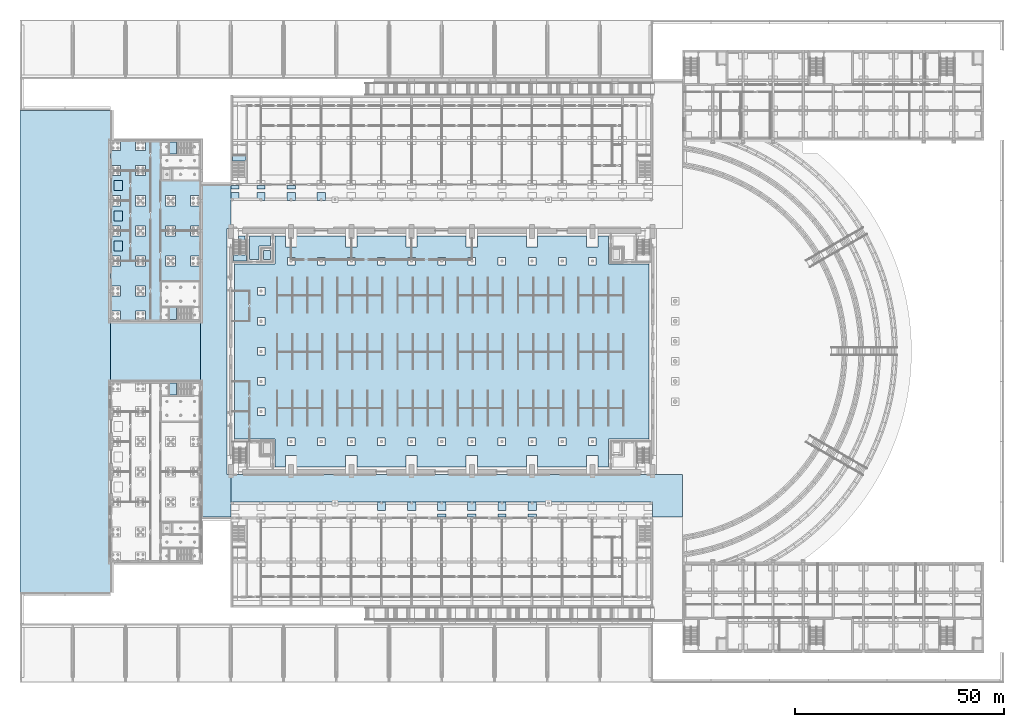
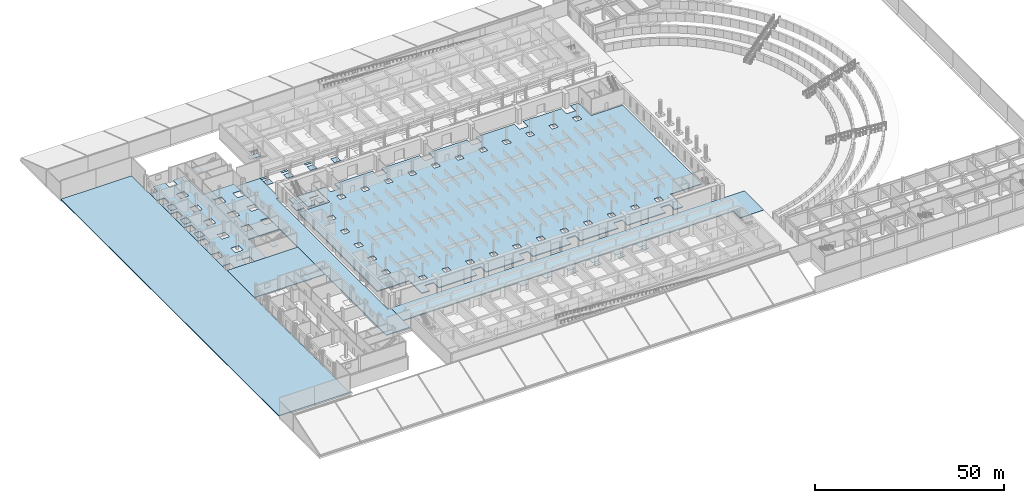
# One storey, part 24 of 73: 31 slabs, 3 plates, 5 elements without a shape of their own.
"""IFC4 building model written with IfcOpenShell, lengths in metres."""

from ifc_helpers import new_model, si_unit, direction, frame, origin, origin_2d, place, context, subcontext, project, spatial, polyline, rectangle, outline, extrude, material, layer, layer_set, type_object, element, aggregate, save


model = new_model("IFC4")

# Units and contexts
model_context = context("Model", 3, precision=1e-05, world=origin(), true_north=direction((0.0, 1.0)))
body_context = subcontext(model_context, "Body", "Model", "MODEL_VIEW")
ifc_project = project(units=[si_unit("LENGTHUNIT", "METRE"), si_unit("AREAUNIT", "SQUARE_METRE"), si_unit("VOLUMEUNIT", "CUBIC_METRE"), si_unit("PLANEANGLEUNIT", "RADIAN"), si_unit("MASSUNIT", "GRAM", prefix="KILO")], contexts=[model_context])

# Site, building, storey
site_placement = place(None, origin())
site = spatial("IfcSite", under=ifc_project, at=site_placement, CompositionType="ELEMENT")
building_placement = place(site_placement, origin())
building = spatial("IfcBuilding", under=site, at=building_placement, Name="Alderwick Market Hall", CompositionType="ELEMENT")
storey_placement = place(building_placement, origin())
storey = spatial("IfcBuildingStorey", under=building, at=storey_placement, Name="LG", CompositionType="ELEMENT", Elevation=0.0)

# Stair, slab
ifc_material_1 = material(Name="Concrete 5000 psi (f'c 35 MPa)", Category="concrete")
stair_type_1 = type_object("IfcStairType", Name="A Roof Stair 1300", PredefinedType="TWO_STRAIGHT_RUN_STAIR", material=ifc_material_1)
stair_1_placement = place(storey_placement, origin())
stair_1 = element("IfcStair", 1, at=stair_1_placement, inside=storey, type_object=stair_type_1, Name="Roof stair NW", PredefinedType="TWO_STRAIGHT_RUN_STAIR")
ifc_layer_1 = layer(ifc_material_1, 0.199951171875)
ifc_layer_set_1 = layer_set([ifc_layer_1], Name="Concrete 5000 psi (f'c 35 MPa)")
slab_type_1 = type_object("IfcSlabType", Name="A Stair Landing 200", PredefinedType="LANDING", material=ifc_layer_set_1)
slab_1_placement = place(storey_placement, frame((0.0, 0.0, 2.199951171875)))
slab_1 = element("IfcSlab", 2, at=slab_1_placement, type_object=slab_type_1, Name="A-ST-NW landing 1", PredefinedType="LANDING", context=body_context, shape_type="SweptSolid", body=[
    extrude(outline(polyline([(50.800048828125, 124.719970703125), (54.050048828125, 124.719970703125), (54.050048828125, 126.219970703125), (50.800048828125, 126.219970703125), (50.800048828125, 124.719970703125)])), origin(), (0.0, 0.0, 1.0), 0.199951171875),
])
aggregate(stair_1, [slab_1])

# Plates
ifc_material_2 = material(Name="Steel ASTM A572 Grade 50", Category="steel")
ifc_layer_2 = layer(ifc_material_2, 0.02001953125)
ifc_layer_set_2 = layer_set([ifc_layer_2], Name="Steel ASTM A572 Grade 50")
plate_type = type_object("IfcPlateType", Name="B Dock Leveller Plate 20", PredefinedType="SHEET", material=ifc_layer_set_2)
for number, where, z_axis, x_axis, name in (
    (3, (23.5, 118.800048828125, 0.0), (0.0, 0.0, 1.0), (1.0, 0.0, 0.0), "Dock leveller plate"),
    (4, (23.5, 111.60009765625, 0.0), (0.0, 0.0, 1.0), (1.0, 0.0, 0.0), "Dock leveller plate"),
    (5, (23.5, 104.39990234375, 0.0), (0.0, 0.0, 1.0), (1.0, 0.0, 0.0), "Dock leveller plate"),
):
    element("IfcPlate", number, at=place(storey_placement, frame(where, z_axis=z_axis, x_axis=x_axis)), inside=storey, type_object=plate_type, Name=name, PredefinedType="SHEET", context=body_context, shape_type="SweptSolid", body=[
        extrude(rectangle(XDim=2.0, YDim=2.39990234375, at=origin_2d()), origin(), (0.0, 0.0, 1.0), 0.02001953125),
    ])

# Slab
ifc_material_3 = material(Name="Concrete 4000 psi (f'c 28 MPa)", Category="concrete")
ifc_layer_3 = layer(ifc_material_3, 0.25)
ifc_layer_set_3 = layer_set([ifc_layer_3], Name="Concrete 4000 psi (f'c 28 MPa)")
slab_type_2 = type_object("IfcSlabType", Name="B Ground Slab 250", PredefinedType="BASESLAB", material=ifc_layer_set_3)
slab_2_placement = place(storey_placement, frame((0.0, 0.0, -0.25)))
element("IfcSlab", 6, at=slab_2_placement, inside=storey, type_object=slab_type_2, Name="B.N.slab.LG", PredefinedType="BASESLAB", context=body_context, shape_type="SweptSolid", body=[
    extrude(outline(polyline([(30.0, 129.60009765625), (33.60009765625, 129.60009765625), (33.60009765625, 120.0), (43.199951171875, 120.0), (43.199951171875, 116.39990234375), (40.800048828125, 116.39990234375), (40.800048828125, 114.0), (43.199951171875, 114.0), (43.199951171875, 109.199951171875), (40.800048828125, 109.199951171875), (40.800048828125, 106.800048828125), (43.199951171875, 106.800048828125), (43.199951171875, 102.0), (40.800048828125, 102.0), (40.800048828125, 99.60009765625), (43.199951171875, 99.60009765625), (43.199951171875, 96.0), (33.60009765625, 96.0), (33.60009765625, 86.39990234375), (30.0, 86.39990234375), (30.0, 88.800048828125), (27.60009765625, 88.800048828125), (27.60009765625, 86.39990234375), (24.0, 86.39990234375), (24.0, 88.800048828125), (21.60009765625, 88.800048828125), (21.60009765625, 92.39990234375), (24.0, 92.39990234375), (24.0, 94.800048828125), (21.60009765625, 94.800048828125), (21.60009765625, 99.60009765625), (24.0, 99.60009765625), (24.0, 102.0), (21.60009765625, 102.0), (21.60009765625, 106.800048828125), (24.0, 106.800048828125), (24.0, 109.199951171875), (21.60009765625, 109.199951171875), (21.60009765625, 114.0), (24.0, 114.0), (24.0, 116.39990234375), (21.60009765625, 116.39990234375), (21.60009765625, 121.199951171875), (24.0, 121.199951171875), (24.0, 123.60009765625), (21.60009765625, 123.60009765625), (21.60009765625, 127.199951171875), (24.0, 127.199951171875), (24.0, 129.60009765625), (27.60009765625, 129.60009765625), (27.60009765625, 127.199951171875), (30.0, 127.199951171875), (30.0, 129.60009765625)]), holes=[polyline([(27.60009765625, 123.60009765625), (27.60009765625, 121.199951171875), (30.0, 121.199951171875), (30.0, 123.60009765625), (27.60009765625, 123.60009765625)]), polyline([(30.0, 116.39990234375), (27.60009765625, 116.39990234375), (27.60009765625, 114.0), (30.0, 114.0), (30.0, 116.39990234375)]), polyline([(30.0, 106.800048828125), (30.0, 109.199951171875), (27.60009765625, 109.199951171875), (27.60009765625, 106.800048828125), (30.0, 106.800048828125)]), polyline([(27.60009765625, 99.60009765625), (30.0, 99.60009765625), (30.0, 102.0), (27.60009765625, 102.0), (27.60009765625, 99.60009765625)]), polyline([(27.60009765625, 94.800048828125), (27.60009765625, 92.39990234375), (30.0, 92.39990234375), (30.0, 94.800048828125), (27.60009765625, 94.800048828125)]), polyline([(37.199951171875, 114.0), (37.199951171875, 116.39990234375), (34.800048828125, 116.39990234375), (34.800048828125, 114.0), (37.199951171875, 114.0)]), polyline([(34.800048828125, 106.800048828125), (37.199951171875, 106.800048828125), (37.199951171875, 109.199951171875), (34.800048828125, 109.199951171875), (34.800048828125, 106.800048828125)]), polyline([(34.800048828125, 102.0), (34.800048828125, 99.60009765625), (37.199951171875, 99.60009765625), (37.199951171875, 102.0), (34.800048828125, 102.0)])]), origin(), (0.0, 0.0, 1.0), 0.25),
])

# Stair, slab
stair_type_2 = type_object("IfcStairType", Name="B Exit Stair 1300", PredefinedType="TWO_STRAIGHT_RUN_STAIR", material=ifc_material_1)
stair_2_placement = place(storey_placement, origin())
stair_2 = element("IfcStair", 7, at=stair_2_placement, inside=storey, type_object=stair_type_2, Name="Stair N-1 LG", PredefinedType="TWO_STRAIGHT_RUN_STAIR")
ifc_layer_4 = layer(ifc_material_1, 0.199951171875)
ifc_layer_set_4 = layer_set([ifc_layer_4], Name="Concrete 5000 psi (f'c 35 MPa)")
slab_type_3 = type_object("IfcSlabType", Name="B Stair Landing 200", PredefinedType="LANDING", material=ifc_layer_set_4)
slab_3_placement = place(storey_placement, frame((0.0, 0.0, 2.199951171875)))
slab_3 = element("IfcSlab", 8, at=slab_3_placement, type_object=slab_type_3, Name="B-ST-N-1-LG landing 1", PredefinedType="LANDING", context=body_context, shape_type="SweptSolid", body=[
    extrude(outline(polyline([(35.75, 129.199951171875), (37.3798828125, 129.199951171875), (37.3798828125, 126.35009765625), (35.75, 126.35009765625), (35.75, 129.199951171875)])), origin(), (0.0, 0.0, 1.0), 0.199951171875),
])
aggregate(stair_2, [slab_3])

stair_3_placement = place(storey_placement, origin())
stair_3 = element("IfcStair", 9, at=stair_3_placement, inside=storey, type_object=stair_type_2, Name="Stair N-2 LG", PredefinedType="TWO_STRAIGHT_RUN_STAIR")
slab_4_placement = place(storey_placement, frame((0.0, 0.0, 2.199951171875)))
slab_4 = element("IfcSlab", 10, at=slab_4_placement, type_object=slab_type_3, Name="B-ST-N-2-LG landing 1", PredefinedType="LANDING", context=body_context, shape_type="SweptSolid", body=[
    extrude(outline(polyline([(35.75, 86.800048828125), (37.3798828125, 86.800048828125), (37.3798828125, 89.64990234375), (35.75, 89.64990234375), (35.75, 86.800048828125)])), origin(), (0.0, 0.0, 1.0), 0.199951171875),
])
aggregate(stair_3, [slab_4])

stair_4_placement = place(storey_placement, origin())
stair_4 = element("IfcStair", 11, at=stair_4_placement, inside=storey, type_object=stair_type_2, Name="Stair S-2 LG", PredefinedType="TWO_STRAIGHT_RUN_STAIR")
slab_5_placement = place(storey_placement, frame((0.0, 0.0, 2.199951171875)))
slab_5 = element("IfcSlab", 12, at=slab_5_placement, type_object=slab_type_3, Name="B-ST-S-2-LG landing 1", PredefinedType="LANDING", context=body_context, shape_type="SweptSolid", body=[
    extrude(outline(polyline([(35.75, 71.60009765625), (37.3798828125, 71.60009765625), (37.3798828125, 68.75), (35.75, 68.75), (35.75, 71.60009765625)])), origin(), (0.0, 0.0, 1.0), 0.199951171875),
])
aggregate(stair_4, [slab_5])

# Slabs
ifc_layer_5 = layer(ifc_material_3, 0.300048828125)
ifc_layer_set_5 = layer_set([ifc_layer_5], Name="Concrete 4000 psi (f'c 28 MPa)")
slab_type_4 = type_object("IfcSlabType", Name="H Base slab 300", PredefinedType="BASESLAB", material=ifc_layer_set_5)
slab_6_placement = place(storey_placement, frame((0.0, 0.0, -0.300048828125)))
element("IfcSlab", 13, at=slab_6_placement, inside=storey, type_object=slab_type_4, Name="Base slab", PredefinedType="BASESLAB", context=body_context, shape_type="SweptSolid", body=[
    extrude(outline(polyline([(51.39990234375, 101.159912109375), (51.39990234375, 104.10009765625), (52.199951171875, 104.10009765625), (52.199951171875, 106.800048828125), (53.75, 106.800048828125), (53.75, 101.159912109375), (51.39990234375, 101.159912109375)])), origin(), (0.0, 0.0, 1.0), 0.300048828125),
])
slab_7_placement = place(storey_placement, frame((0.0, 0.0, -0.300048828125)))
element("IfcSlab", 14, at=slab_7_placement, inside=storey, type_object=slab_type_4, Name="Base slab", PredefinedType="BASESLAB", context=body_context, shape_type="SweptSolid", body=[
    extrude(outline(polyline([(54.800048828125, 101.159912109375), (54.800048828125, 106.800048828125), (59.89990234375, 106.800048828125), (59.89990234375, 104.409912109375), (57.14990234375, 104.409912109375), (57.14990234375, 101.159912109375), (54.800048828125, 101.159912109375)])), origin(), (0.0, 0.0, 1.0), 0.300048828125),
])
slab_8_placement = place(storey_placement, frame((0.0, 0.0, -0.300048828125)))
element("IfcSlab", 15, at=slab_8_placement, inside=storey, type_object=slab_type_4, Name="Base slab", PredefinedType="BASESLAB", context=body_context, shape_type="SweptSolid", body=[
    extrude(outline(polyline([(58.199951171875, 101.159912109375), (58.199951171875, 103.360107421875), (59.89990234375, 103.360107421875), (59.89990234375, 101.159912109375), (58.199951171875, 101.159912109375)])), origin(), (0.0, 0.0, 1.0), 0.300048828125),
])
slab_9_placement = place(storey_placement, frame((0.0, 0.0, -0.300048828125)))
element("IfcSlab", 16, at=slab_9_placement, inside=storey, type_object=slab_type_4, Name="Base slab", PredefinedType="BASESLAB", context=body_context, shape_type="SweptSolid", body=[
    extrude(outline(polyline([(109.35009765625, 104.10009765625), (109.35009765625, 106.800048828125), (121.050048828125, 106.800048828125), (121.050048828125, 104.10009765625), (123.75, 104.10009765625), (123.75, 106.800048828125), (135.449951171875, 106.800048828125), (135.449951171875, 104.10009765625), (138.14990234375, 104.10009765625), (138.14990234375, 106.800048828125), (140.64990234375, 106.800048828125), (140.64990234375, 100.110107421875), (150.300048828125, 100.110107421875), (150.300048828125, 58.2900390625), (140.64990234375, 58.2900390625), (140.64990234375, 51.60009765625), (138.14990234375, 51.60009765625), (138.14990234375, 54.300048828125), (135.449951171875, 54.300048828125), (135.449951171875, 51.60009765625), (123.75, 51.60009765625), (123.75, 54.300048828125), (121.050048828125, 54.300048828125), (121.050048828125, 51.60009765625), (109.35009765625, 51.60009765625), (109.35009765625, 54.300048828125), (106.64990234375, 54.300048828125), (106.64990234375, 51.60009765625), (94.949951171875, 51.60009765625), (94.949951171875, 54.300048828125), (92.25, 54.300048828125), (92.25, 51.60009765625), (80.550048828125, 51.60009765625), (80.550048828125, 54.300048828125), (77.85009765625, 54.300048828125), (77.85009765625, 51.60009765625), (66.14990234375, 51.60009765625), (66.14990234375, 54.300048828125), (63.449951171875, 54.300048828125), (63.449951171875, 51.60009765625), (60.949951171875, 51.60009765625), (60.949951171875, 58.2900390625), (51.300048828125, 58.2900390625), (51.300048828125, 100.110107421875), (60.949951171875, 100.110107421875), (60.949951171875, 106.800048828125), (63.449951171875, 106.800048828125), (63.449951171875, 104.10009765625), (66.14990234375, 104.10009765625), (66.14990234375, 106.800048828125), (77.85009765625, 106.800048828125), (77.85009765625, 104.10009765625), (80.550048828125, 104.10009765625), (80.550048828125, 106.800048828125), (92.25, 106.800048828125), (92.25, 104.10009765625), (94.949951171875, 104.10009765625), (94.949951171875, 106.800048828125), (106.64990234375, 106.800048828125), (106.64990234375, 104.10009765625), (109.35009765625, 104.10009765625)]), holes=[polyline([(135.89990234375, 99.860107421875), (137.699951171875, 99.860107421875), (137.699951171875, 101.659912109375), (135.89990234375, 101.659912109375), (135.89990234375, 99.860107421875)]), polyline([(135.89990234375, 56.739990234375), (137.699951171875, 56.739990234375), (137.699951171875, 58.5400390625), (135.89990234375, 58.5400390625), (135.89990234375, 56.739990234375)]), polyline([(130.5, 56.739990234375), (130.5, 58.5400390625), (128.699951171875, 58.5400390625), (128.699951171875, 56.739990234375), (130.5, 56.739990234375)]), polyline([(130.5, 101.659912109375), (128.699951171875, 101.659912109375), (128.699951171875, 99.860107421875), (130.5, 99.860107421875), (130.5, 101.659912109375)]), polyline([(123.300048828125, 101.659912109375), (121.5, 101.659912109375), (121.5, 99.860107421875), (123.300048828125, 99.860107421875), (123.300048828125, 101.659912109375)]), polyline([(121.5, 56.739990234375), (123.300048828125, 56.739990234375), (123.300048828125, 58.5400390625), (121.5, 58.5400390625), (121.5, 56.739990234375)]), polyline([(114.300048828125, 99.860107421875), (116.10009765625, 99.860107421875), (116.10009765625, 101.659912109375), (114.300048828125, 101.659912109375), (114.300048828125, 99.860107421875)]), polyline([(114.300048828125, 56.739990234375), (116.10009765625, 56.739990234375), (116.10009765625, 58.5400390625), (114.300048828125, 58.5400390625), (114.300048828125, 56.739990234375)]), polyline([(107.10009765625, 99.860107421875), (108.89990234375, 99.860107421875), (108.89990234375, 101.659912109375), (107.10009765625, 101.659912109375), (107.10009765625, 99.860107421875)]), polyline([(107.10009765625, 56.739990234375), (108.89990234375, 56.739990234375), (108.89990234375, 58.5400390625), (107.10009765625, 58.5400390625), (107.10009765625, 56.739990234375)]), polyline([(99.89990234375, 99.860107421875), (101.699951171875, 99.860107421875), (101.699951171875, 101.659912109375), (99.89990234375, 101.659912109375), (99.89990234375, 99.860107421875)]), polyline([(99.89990234375, 56.739990234375), (101.699951171875, 56.739990234375), (101.699951171875, 58.5400390625), (99.89990234375, 58.5400390625), (99.89990234375, 56.739990234375)]), polyline([(94.5, 99.860107421875), (94.5, 101.659912109375), (92.699951171875, 101.659912109375), (92.699951171875, 99.860107421875), (94.5, 99.860107421875)]), polyline([(92.699951171875, 56.739990234375), (94.5, 56.739990234375), (94.5, 58.5400390625), (92.699951171875, 58.5400390625), (92.699951171875, 56.739990234375)]), polyline([(87.300048828125, 56.739990234375), (87.300048828125, 58.5400390625), (85.5, 58.5400390625), (85.5, 56.739990234375), (87.300048828125, 56.739990234375)]), polyline([(85.5, 99.860107421875), (87.300048828125, 99.860107421875), (87.300048828125, 101.659912109375), (85.5, 101.659912109375), (85.5, 99.860107421875)]), polyline([(78.300048828125, 101.659912109375), (78.300048828125, 99.860107421875), (80.10009765625, 99.860107421875), (80.10009765625, 101.659912109375), (78.300048828125, 101.659912109375)]), polyline([(78.300048828125, 58.5400390625), (78.300048828125, 56.739990234375), (80.10009765625, 56.739990234375), (80.10009765625, 58.5400390625), (78.300048828125, 58.5400390625)]), polyline([(72.89990234375, 99.860107421875), (72.89990234375, 101.659912109375), (71.10009765625, 101.659912109375), (71.10009765625, 99.860107421875), (72.89990234375, 99.860107421875)]), polyline([(71.10009765625, 58.5400390625), (71.10009765625, 56.739990234375), (72.89990234375, 56.739990234375), (72.89990234375, 58.5400390625), (71.10009765625, 58.5400390625)]), polyline([(63.89990234375, 101.659912109375), (63.89990234375, 99.860107421875), (65.699951171875, 99.860107421875), (65.699951171875, 101.659912109375), (63.89990234375, 101.659912109375)]), polyline([(65.699951171875, 58.5400390625), (63.89990234375, 58.5400390625), (63.89990234375, 56.739990234375), (65.699951171875, 56.739990234375), (65.699951171875, 58.5400390625)]), polyline([(58.5400390625, 92.699951171875), (58.5400390625, 94.5), (56.739990234375, 94.5), (56.739990234375, 92.699951171875), (58.5400390625, 92.699951171875)]), polyline([(58.5400390625, 78.300048828125), (58.5400390625, 80.10009765625), (56.739990234375, 80.10009765625), (56.739990234375, 78.300048828125), (58.5400390625, 78.300048828125)]), polyline([(58.5400390625, 71.10009765625), (58.5400390625, 72.89990234375), (56.739990234375, 72.89990234375), (56.739990234375, 71.10009765625), (58.5400390625, 71.10009765625)]), polyline([(58.5400390625, 63.89990234375), (58.5400390625, 65.699951171875), (56.739990234375, 65.699951171875), (56.739990234375, 63.89990234375), (58.5400390625, 63.89990234375)]), polyline([(56.739990234375, 87.300048828125), (56.739990234375, 85.5), (58.5400390625, 85.5), (58.5400390625, 87.300048828125), (56.739990234375, 87.300048828125)])]), origin(), (0.0, 0.0, 1.0), 0.300048828125),
])

# Stair, slab
stair_type_3 = type_object("IfcStairType", Name="H Stair 1500", PredefinedType="HALF_TURN_STAIR", material=ifc_material_1)
stair_5_placement = place(storey_placement, origin())
stair_5 = element("IfcStair", 17, at=stair_5_placement, inside=storey, type_object=stair_type_3, Name="LG Exit stair H-NW", PredefinedType="HALF_TURN_STAIR")
ifc_layer_6 = layer(ifc_material_3, 0.199951171875)
ifc_layer_set_6 = layer_set([ifc_layer_6], Name="Concrete 4000 psi (f'c 28 MPa)")
slab_type_5 = type_object("IfcSlabType", Name="H Stair landing 200", PredefinedType="LANDING", material=ifc_layer_set_6)
slab_10_placement = place(storey_placement, frame((0.0, 0.0, 2.199951171875)))
slab_10 = element("IfcSlab", 18, at=slab_10_placement, type_object=slab_type_5, Name="H-NW landing 1", PredefinedType="LANDING", context=body_context, shape_type="SweptSolid", body=[
    extrude(outline(polyline([(51.0, 102.260009765625), (51.0, 100.760009765625), (54.14990234375, 100.760009765625), (54.14990234375, 102.260009765625), (51.0, 102.260009765625)])), origin(), (0.0, 0.0, 1.0), 0.199951171875),
])
aggregate(stair_5, [slab_10])

# Slabs
ifc_layer_7 = layer(ifc_material_3, 0.14990234375)
ifc_layer_set_7 = layer_set([ifc_layer_7], Name="Concrete 4000 psi (f'c 28 MPa)")
slab_type_6 = type_object("IfcSlabType", Name="S Paving Arcade 150", PredefinedType="USERDEFINED", material=ifc_layer_set_7)
slab_11_placement = place(storey_placement, frame((0.0, 0.0, -0.14990234375)))
element("IfcSlab", 19, at=slab_11_placement, inside=storey, type_object=slab_type_6, Name="Paving arcade 18", ObjectType="PAVING SLAB", PredefinedType="USERDEFINED", context=body_context, shape_type="SweptSolid", body=[
    extrude(outline(polyline([(121.39990234375, 43.199951171875), (121.39990234375, 41.199951171875), (123.39990234375, 41.199951171875), (123.39990234375, 43.199951171875), (121.39990234375, 43.199951171875)])), origin(), (0.0, 0.0, 1.0), 0.14990234375),
])
slab_12_placement = place(storey_placement, frame((0.0, 0.0, -0.14990234375)))
element("IfcSlab", 20, at=slab_12_placement, inside=storey, type_object=slab_type_6, Name="Paving arcade 20", ObjectType="PAVING SLAB", PredefinedType="USERDEFINED", context=body_context, shape_type="SweptSolid", body=[
    extrude(outline(polyline([(123.39990234375, 39.60009765625), (123.39990234375, 40.35009765625), (121.39990234375, 40.35009765625), (121.39990234375, 39.60009765625), (123.39990234375, 39.60009765625)])), origin(), (0.0, 0.0, 1.0), 0.14990234375),
])
slab_13_placement = place(storey_placement, frame((0.0, 0.0, -0.14990234375)))
element("IfcSlab", 21, at=slab_13_placement, inside=storey, type_object=slab_type_6, Name="Paving arcade 22", ObjectType="PAVING SLAB", PredefinedType="USERDEFINED", context=body_context, shape_type="SweptSolid", body=[
    extrude(outline(polyline([(114.199951171875, 43.199951171875), (114.199951171875, 41.199951171875), (116.199951171875, 41.199951171875), (116.199951171875, 43.199951171875), (114.199951171875, 43.199951171875)])), origin(), (0.0, 0.0, 1.0), 0.14990234375),
])
slab_14_placement = place(storey_placement, frame((0.0, 0.0, -0.14990234375)))
element("IfcSlab", 22, at=slab_14_placement, inside=storey, type_object=slab_type_6, Name="Paving arcade 24", ObjectType="PAVING SLAB", PredefinedType="USERDEFINED", context=body_context, shape_type="SweptSolid", body=[
    extrude(outline(polyline([(116.199951171875, 39.60009765625), (116.199951171875, 40.35009765625), (114.199951171875, 40.35009765625), (114.199951171875, 39.60009765625), (116.199951171875, 39.60009765625)])), origin(), (0.0, 0.0, 1.0), 0.14990234375),
])
slab_15_placement = place(storey_placement, frame((0.0, 0.0, -0.14990234375)))
element("IfcSlab", 23, at=slab_15_placement, inside=storey, type_object=slab_type_6, Name="Paving arcade 26", ObjectType="PAVING SLAB", PredefinedType="USERDEFINED", context=body_context, shape_type="SweptSolid", body=[
    extrude(outline(polyline([(107.0, 43.199951171875), (107.0, 41.199951171875), (109.0, 41.199951171875), (109.0, 43.199951171875), (107.0, 43.199951171875)])), origin(), (0.0, 0.0, 1.0), 0.14990234375),
])
slab_16_placement = place(storey_placement, frame((0.0, 0.0, -0.14990234375)))
element("IfcSlab", 24, at=slab_16_placement, inside=storey, type_object=slab_type_6, Name="Paving arcade 28", ObjectType="PAVING SLAB", PredefinedType="USERDEFINED", context=body_context, shape_type="SweptSolid", body=[
    extrude(outline(polyline([(109.0, 39.60009765625), (109.0, 40.35009765625), (107.0, 40.35009765625), (107.0, 39.60009765625), (109.0, 39.60009765625)])), origin(), (0.0, 0.0, 1.0), 0.14990234375),
])
slab_17_placement = place(storey_placement, frame((0.0, 0.0, -0.14990234375)))
element("IfcSlab", 25, at=slab_17_placement, inside=storey, type_object=slab_type_6, Name="Paving arcade 29", ObjectType="PAVING SLAB", PredefinedType="USERDEFINED", context=body_context, shape_type="SweptSolid", body=[
    extrude(outline(polyline([(99.800048828125, 43.199951171875), (99.800048828125, 41.199951171875), (101.800048828125, 41.199951171875), (101.800048828125, 43.199951171875), (99.800048828125, 43.199951171875)])), origin(), (0.0, 0.0, 1.0), 0.14990234375),
])
slab_18_placement = place(storey_placement, frame((0.0, 0.0, -0.14990234375)))
element("IfcSlab", 26, at=slab_18_placement, inside=storey, type_object=slab_type_6, Name="Paving arcade 32", ObjectType="PAVING SLAB", PredefinedType="USERDEFINED", context=body_context, shape_type="SweptSolid", body=[
    extrude(outline(polyline([(101.800048828125, 39.60009765625), (101.800048828125, 40.35009765625), (99.800048828125, 40.35009765625), (99.800048828125, 39.60009765625), (101.800048828125, 39.60009765625)])), origin(), (0.0, 0.0, 1.0), 0.14990234375),
])
slab_19_placement = place(storey_placement, frame((0.0, 0.0, -0.14990234375)))
element("IfcSlab", 27, at=slab_19_placement, inside=storey, type_object=slab_type_6, Name="Paving arcade 34", ObjectType="PAVING SLAB", PredefinedType="USERDEFINED", context=body_context, shape_type="SweptSolid", body=[
    extrude(outline(polyline([(92.60009765625, 43.199951171875), (92.60009765625, 41.199951171875), (94.60009765625, 41.199951171875), (94.60009765625, 43.199951171875), (92.60009765625, 43.199951171875)])), origin(), (0.0, 0.0, 1.0), 0.14990234375),
])
slab_20_placement = place(storey_placement, frame((0.0, 0.0, -0.14990234375)))
element("IfcSlab", 28, at=slab_20_placement, inside=storey, type_object=slab_type_6, Name="Paving arcade 37", ObjectType="PAVING SLAB", PredefinedType="USERDEFINED", context=body_context, shape_type="SweptSolid", body=[
    extrude(outline(polyline([(85.39990234375, 43.199951171875), (85.39990234375, 41.199951171875), (87.39990234375, 41.199951171875), (87.39990234375, 43.199951171875), (85.39990234375, 43.199951171875)])), origin(), (0.0, 0.0, 1.0), 0.14990234375),
])
slab_21_placement = place(storey_placement, frame((0.0, 0.0, -0.14990234375)))
element("IfcSlab", 29, at=slab_21_placement, inside=storey, type_object=slab_type_6, Name="Paving arcade 47", ObjectType="PAVING SLAB", PredefinedType="USERDEFINED", context=body_context, shape_type="SweptSolid", body=[
    extrude(outline(polyline([(73.0, 115.199951171875), (73.0, 117.199951171875), (71.0, 117.199951171875), (71.0, 115.199951171875), (73.0, 115.199951171875)])), origin(), (0.0, 0.0, 1.0), 0.14990234375),
])
slab_22_placement = place(storey_placement, frame((0.0, 0.0, -0.14990234375)))
element("IfcSlab", 30, at=slab_22_placement, inside=storey, type_object=slab_type_6, Name="Paving arcade 49", ObjectType="PAVING SLAB", PredefinedType="USERDEFINED", context=body_context, shape_type="SweptSolid", body=[
    extrude(outline(polyline([(63.800048828125, 118.800048828125), (63.800048828125, 118.050048828125), (65.800048828125, 118.050048828125), (65.800048828125, 118.800048828125), (63.800048828125, 118.800048828125)])), origin(), (0.0, 0.0, 1.0), 0.14990234375),
])
slab_23_placement = place(storey_placement, frame((0.0, 0.0, -0.14990234375)))
element("IfcSlab", 31, at=slab_23_placement, inside=storey, type_object=slab_type_6, Name="Paving arcade 51", ObjectType="PAVING SLAB", PredefinedType="USERDEFINED", context=body_context, shape_type="SweptSolid", body=[
    extrude(outline(polyline([(65.800048828125, 115.199951171875), (65.800048828125, 117.199951171875), (63.800048828125, 117.199951171875), (63.800048828125, 115.199951171875), (65.800048828125, 115.199951171875)])), origin(), (0.0, 0.0, 1.0), 0.14990234375),
])
slab_24_placement = place(storey_placement, frame((0.0, 0.0, -0.14990234375)))
element("IfcSlab", 32, at=slab_24_placement, inside=storey, type_object=slab_type_6, Name="Paving arcade 53", ObjectType="PAVING SLAB", PredefinedType="USERDEFINED", context=body_context, shape_type="SweptSolid", body=[
    extrude(outline(polyline([(56.60009765625, 118.800048828125), (56.60009765625, 118.050048828125), (58.60009765625, 118.050048828125), (58.60009765625, 118.800048828125), (56.60009765625, 118.800048828125)])), origin(), (0.0, 0.0, 1.0), 0.14990234375),
])
slab_25_placement = place(storey_placement, frame((0.0, 0.0, -0.14990234375)))
element("IfcSlab", 33, at=slab_25_placement, inside=storey, type_object=slab_type_6, Name="Paving arcade 55", ObjectType="PAVING SLAB", PredefinedType="USERDEFINED", context=body_context, shape_type="SweptSolid", body=[
    extrude(outline(polyline([(58.60009765625, 115.199951171875), (58.60009765625, 117.199951171875), (56.60009765625, 117.199951171875), (56.60009765625, 115.199951171875), (58.60009765625, 115.199951171875)])), origin(), (0.0, 0.0, 1.0), 0.14990234375),
])
slab_26_placement = place(storey_placement, frame((0.0, 0.0, -0.14990234375)))
element("IfcSlab", 34, at=slab_26_placement, inside=storey, type_object=slab_type_6, Name="Paving arcade 58", ObjectType="PAVING SLAB", PredefinedType="USERDEFINED", context=body_context, shape_type="SweptSolid", body=[
    extrude(outline(polyline([(50.39990234375, 118.050048828125), (52.39990234375, 118.050048828125), (52.39990234375, 118.800048828125), (50.39990234375, 118.800048828125), (50.39990234375, 118.050048828125)])), origin(), (0.0, 0.0, 1.0), 0.14990234375),
])
slab_27_placement = place(storey_placement, frame((0.0, 0.0, -0.14990234375)))
element("IfcSlab", 35, at=slab_27_placement, inside=storey, type_object=slab_type_6, Name="Paving arcade 59", ObjectType="PAVING SLAB", PredefinedType="USERDEFINED", context=body_context, shape_type="SweptSolid", body=[
    extrude(outline(polyline([(52.39990234375, 115.199951171875), (52.39990234375, 117.199951171875), (50.39990234375, 117.199951171875), (50.39990234375, 115.199951171875), (52.39990234375, 115.199951171875)])), origin(), (0.0, 0.0, 1.0), 0.14990234375),
])
ifc_layer_8 = layer(ifc_material_3, 0.25)
ifc_layer_set_8 = layer_set([ifc_layer_8], Name="Concrete 4000 psi (f'c 28 MPa)")
slab_type_7 = type_object("IfcSlabType", Name="S Paving Vehicular 250", PredefinedType="USERDEFINED", material=ifc_layer_set_8)
slab_28_placement = place(storey_placement, frame((0.0, 0.0, -0.25)))
element("IfcSlab", 36, at=slab_28_placement, inside=storey, type_object=slab_type_7, Name="Paving lane 01", ObjectType="PAVING SLAB", PredefinedType="USERDEFINED", context=body_context, shape_type="SweptSolid", body=[
    extrude(outline(polyline([(151.199951171875, 43.199951171875), (151.199951171875, 41.199951171875), (151.199951171875, 40.35009765625), (151.199951171875, 39.60009765625), (158.39990234375, 39.60009765625), (158.39990234375, 49.800048828125), (152.10009765625, 49.800048828125), (151.199951171875, 49.800048828125), (50.39990234375, 49.800048828125), (50.39990234375, 43.199951171875), (52.39990234375, 43.199951171875), (56.60009765625, 43.199951171875), (58.60009765625, 43.199951171875), (63.800048828125, 43.199951171875), (65.800048828125, 43.199951171875), (71.0, 43.199951171875), (73.0, 43.199951171875), (78.199951171875, 43.199951171875), (80.199951171875, 43.199951171875), (85.39990234375, 43.199951171875), (87.39990234375, 43.199951171875), (92.60009765625, 43.199951171875), (94.60009765625, 43.199951171875), (99.800048828125, 43.199951171875), (101.800048828125, 43.199951171875), (107.0, 43.199951171875), (109.0, 43.199951171875), (114.199951171875, 43.199951171875), (116.199951171875, 43.199951171875), (121.39990234375, 43.199951171875), (123.39990234375, 43.199951171875), (128.60009765625, 43.199951171875), (130.60009765625, 43.199951171875), (135.800048828125, 43.199951171875), (137.800048828125, 43.199951171875), (143.0, 43.199951171875), (145.0, 43.199951171875), (149.199951171875, 43.199951171875), (151.199951171875, 43.199951171875)])), origin(), (0.0, 0.0, 1.0), 0.25),
])
slab_29_placement = place(storey_placement, frame((0.0, 0.0, -0.25)))
element("IfcSlab", 37, at=slab_29_placement, inside=storey, type_object=slab_type_7, Name="Paving goods 01", ObjectType="PAVING SLAB", PredefinedType="USERDEFINED", context=body_context, shape_type="SweptSolid", body=[
    extrude(outline(polyline([(43.199951171875, 39.60009765625), (50.39990234375, 39.60009765625), (50.39990234375, 40.35009765625), (50.39990234375, 41.199951171875), (50.39990234375, 43.199951171875), (50.39990234375, 49.800048828125), (49.5, 49.800048828125), (49.5, 108.60009765625), (50.39990234375, 108.60009765625), (50.39990234375, 115.199951171875), (50.39990234375, 117.199951171875), (50.39990234375, 118.050048828125), (50.39990234375, 118.800048828125), (43.199951171875, 118.800048828125), (43.199951171875, 116.39990234375), (43.199951171875, 114.0), (43.199951171875, 109.199951171875), (43.199951171875, 106.800048828125), (43.199951171875, 102.0), (43.199951171875, 99.60009765625), (43.199951171875, 96.0), (43.199951171875, 86.39990234375), (43.199951171875, 72.0), (43.199951171875, 62.39990234375), (43.199951171875, 58.800048828125), (43.199951171875, 56.39990234375), (43.199951171875, 51.60009765625), (43.199951171875, 49.199951171875), (43.199951171875, 44.39990234375), (43.199951171875, 42.0), (43.199951171875, 39.60009765625)])), origin(), (0.0, 0.0, 1.0), 0.25),
])
slab_30_placement = place(storey_placement, frame((0.0, 0.0, -0.25)))
element("IfcSlab", 38, at=slab_30_placement, inside=storey, type_object=slab_type_7, Name="Paving gate 01", ObjectType="PAVING SLAB", PredefinedType="USERDEFINED", context=body_context, shape_type="SweptSolid", body=[
    extrude(outline(polyline([(21.60009765625, 72.0), (24.0, 72.0), (27.60009765625, 72.0), (30.0, 72.0), (33.60009765625, 72.0), (43.199951171875, 72.0), (43.199951171875, 86.39990234375), (33.60009765625, 86.39990234375), (30.0, 86.39990234375), (27.60009765625, 86.39990234375), (24.0, 86.39990234375), (21.60009765625, 86.39990234375), (21.60009765625, 72.0)])), origin(), (0.0, 0.0, 1.0), 0.25),
])
slab_31_placement = place(storey_placement, frame((0.0, 0.0, -0.25)))
element("IfcSlab", 39, at=slab_31_placement, inside=storey, type_object=slab_type_7, Name="Paving yard 01", ObjectType="PAVING SLAB", PredefinedType="USERDEFINED", context=body_context, shape_type="SweptSolid", body=[
    extrude(outline(polyline([(0.0, 21.60009765625), (21.60009765625, 21.60009765625), (21.60009765625, 28.800048828125), (21.60009765625, 31.199951171875), (21.60009765625, 34.800048828125), (21.60009765625, 37.199951171875), (21.60009765625, 42.0), (21.60009765625, 44.39990234375), (21.60009765625, 49.199951171875), (21.60009765625, 51.60009765625), (21.60009765625, 56.39990234375), (21.60009765625, 58.800048828125), (21.60009765625, 63.60009765625), (21.60009765625, 66.0), (21.60009765625, 69.60009765625), (21.60009765625, 72.0), (21.60009765625, 86.39990234375), (21.60009765625, 88.800048828125), (21.60009765625, 92.39990234375), (21.60009765625, 94.800048828125), (21.60009765625, 99.60009765625), (21.60009765625, 102.0), (21.60009765625, 106.800048828125), (21.60009765625, 109.199951171875), (21.60009765625, 114.0), (21.60009765625, 116.39990234375), (21.60009765625, 121.199951171875), (21.60009765625, 123.60009765625), (21.60009765625, 127.199951171875), (21.60009765625, 129.60009765625), (21.60009765625, 136.800048828125), (0.0, 136.800048828125), (0.0, 21.60009765625)])), origin(), (0.0, 0.0, 1.0), 0.25),
])

save(model, "model.ifc")
